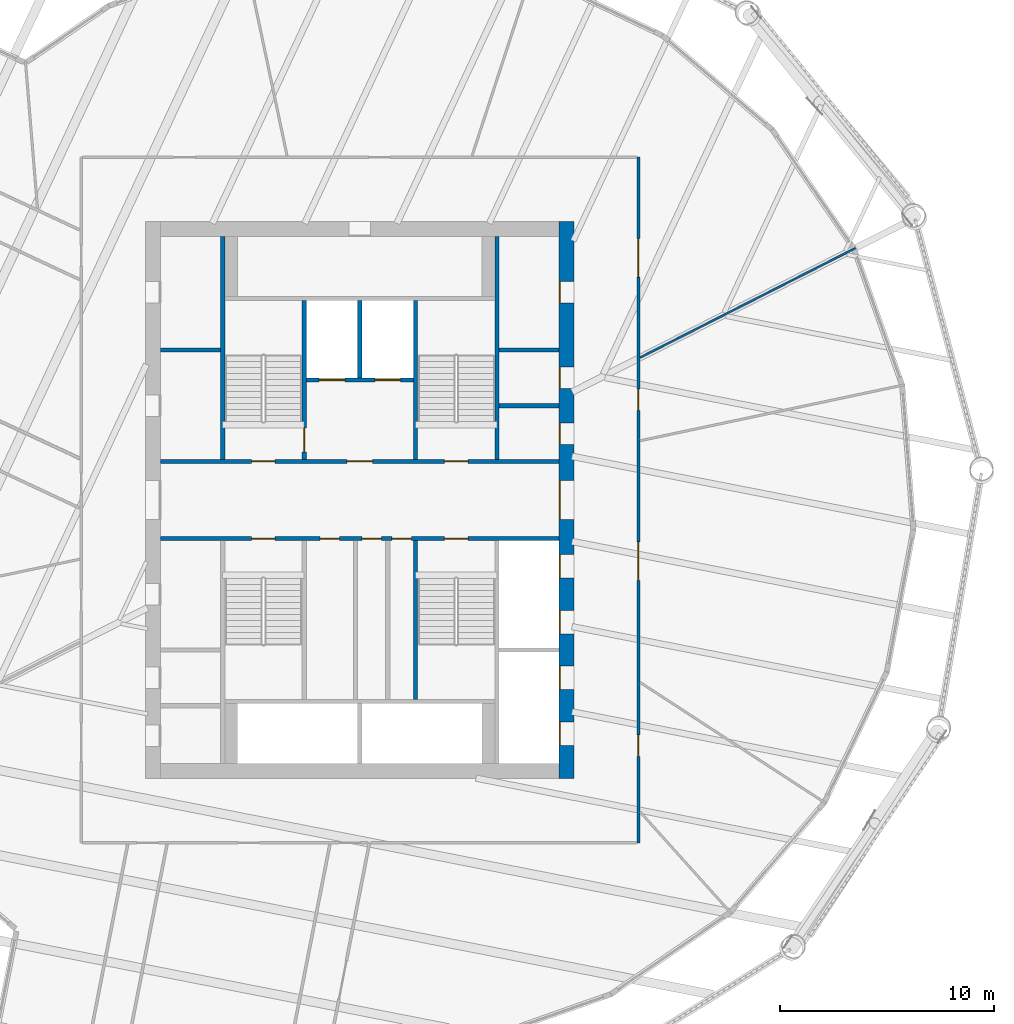
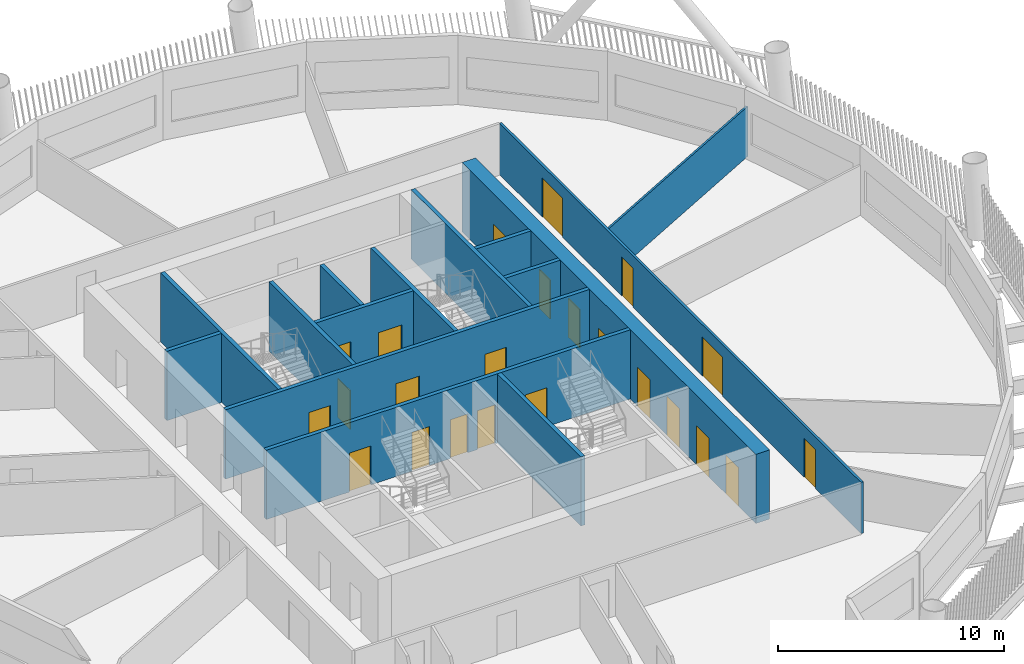
# One storey, part 5 of 24: 23 doors, 15 walls, 23 openings.
"""IFC4 building model written with IfcOpenShell, lengths in metres."""

from ifc_helpers import new_model, si_unit, direction, frame, frame_2d, origin, place, context, subcontext, project, spatial, rectangle, extrude, material, layer, layer_set, type_object, element, fill, save


model = new_model("IFC4")

# Units and contexts
model_context = context("Model", 3, precision=1e-05, world=origin(), true_north=direction((0.0, 1.0)))
body_context = subcontext(model_context, "Body", "Model", "MODEL_VIEW")
ifc_project = project(units=[si_unit("LENGTHUNIT", "METRE"), si_unit("AREAUNIT", "SQUARE_METRE"), si_unit("VOLUMEUNIT", "CUBIC_METRE"), si_unit("PLANEANGLEUNIT", "RADIAN"), si_unit("MASSUNIT", "GRAM", prefix="KILO")], contexts=[model_context])

# Site, building, storey
site_placement = place(None, origin())
site = spatial("IfcSite", under=ifc_project, at=site_placement, CompositionType="ELEMENT")
building_placement = place(site_placement, origin())
building = spatial("IfcBuilding", under=site, at=building_placement, Name="Tarsis Ring Headquarters", CompositionType="ELEMENT")
storey_placement = place(building_placement, frame((0.0, 0.0, 178.800048828125)))
storey = spatial("IfcBuildingStorey", under=building, at=storey_placement, Name="L41", CompositionType="ELEMENT", Elevation=178.800048828125)

# Walls
ifc_material_1 = material(Name="Blockwork", Category="masonry")
ifc_layer_1 = layer(ifc_material_1, 0.199951171875)
ifc_layer_set_1 = layer_set([ifc_layer_1], Name="Core blockwork wall 200")
wall_type_1 = type_object("IfcWallType", Name="Core blockwork wall 200", PredefinedType="PARTITIONING", material=ifc_layer_set_1)
for number, where, z_axis, x_axis, name in (
    (1, (-9.300048828125, 7.0, 0.0), (0.0, 0.0, 1.0), (1.0, 0.0, 0.0), "Core partition WD6"),
    (2, (6.5, 4.39990234375, 0.0), (0.0, 0.0, 1.0), (1.0, 0.0, 0.0), "Core partition ED5"),
    (3, (6.5, 7.0, 0.0), (0.0, 0.0, 1.0), (1.0, 0.0, 0.0), "Core partition ED6"),
):
    element("IfcWall", number, at=place(storey_placement, frame(where, z_axis=z_axis, x_axis=x_axis)), inside=storey, type_object=wall_type_1, Name=name, PredefinedType="PARTITIONING", context=body_context, shape_type="SweptSolid", body=[
        extrude(rectangle(XDim=2.800048828125, YDim=0.199951171875, at=frame_2d((1.39990234375, 0.0))), origin(), (0.0, 0.0, 1.0), 3.739990234375),
    ])

# Wall, openings, doors
ifc_material_2 = material(Name="Concrete C60/75", Category="concrete")
ifc_layer_2 = layer(ifc_material_2, 0.699951171875)
ifc_layer_set_2 = layer_set([ifc_layer_2], Name="Core wall 700 C60/75")
wall_type_2 = type_object("IfcWallType", Name="Core wall 700 C60/75", PredefinedType="SHEAR", material=ifc_layer_set_2)
wall_1_placement = place(storey_placement, frame((9.64990234375, -13.0, 0.0), z_axis=(0.0, 0.0, 1.0), x_axis=(0.0, 1.0, 0.0)))
wall_1 = element("IfcWall", 4, at=wall_1_placement, inside=storey, type_object=wall_type_2, Name="Core wall OE", PredefinedType="SHEAR", context=body_context, shape_type="SweptSolid", body=[
    extrude(rectangle(XDim=26.0, YDim=0.699951171875, at=frame_2d((13.0, 0.0))), origin(), (0.0, 0.0, 1.0), 3.739990234375),
])
opening_1_placement = place(wall_1_placement, frame((1.550048828125, 0.0, 0.0)))
opening_1 = element("IfcOpeningElement", 5, at=opening_1_placement, cuts=wall_1, Name="Opening LD-MR1", PredefinedType="OPENING", context=body_context, shape_type="SweptSolid", body=[
    extrude(rectangle(XDim=1.10009765625, YDim=2.10009765625, at=frame_2d((0.550048828125, 1.050048828125))), frame((0.0, 0.35986328125, 0.0), z_axis=(0.0, -1.0, 0.0), x_axis=(1.0, 0.0, 0.0)), (0.0, 0.0, 1.0), 0.719970703125),
])
opening_2_placement = place(wall_1_placement, frame((4.14990234375, 0.0, 0.0)))
opening_2 = element("IfcOpeningElement", 6, at=opening_2_placement, cuts=wall_1, Name="Opening LD-MR2", PredefinedType="OPENING", context=body_context, shape_type="SweptSolid", body=[
    extrude(rectangle(XDim=1.10009765625, YDim=2.10009765625, at=frame_2d((0.550048828125, 1.050048828125))), frame((0.0, 0.35986328125, 0.0), z_axis=(0.0, -1.0, 0.0), x_axis=(1.0, 0.0, 0.0)), (0.0, 0.0, 1.0), 0.719970703125),
])
opening_3_placement = place(wall_1_placement, frame((6.75, 0.0, 0.0)))
opening_3 = element("IfcOpeningElement", 7, at=opening_3_placement, cuts=wall_1, Name="Opening LD-MR3", PredefinedType="OPENING", context=body_context, shape_type="SweptSolid", body=[
    extrude(rectangle(XDim=1.10009765625, YDim=2.10009765625, at=frame_2d((0.550048828125, 1.050048828125))), frame((0.0, 0.35986328125, 0.0), z_axis=(0.0, -1.0, 0.0), x_axis=(1.0, 0.0, 0.0)), (0.0, 0.0, 1.0), 0.719970703125),
])
opening_4_placement = place(wall_1_placement, frame((9.35009765625, 0.0, 0.0)))
opening_4 = element("IfcOpeningElement", 8, at=opening_4_placement, cuts=wall_1, Name="Opening LD-MR4", PredefinedType="OPENING", context=body_context, shape_type="SweptSolid", body=[
    extrude(rectangle(XDim=1.10009765625, YDim=2.10009765625, at=frame_2d((0.550048828125, 1.050048828125))), frame((0.0, 0.35986328125, 0.0), z_axis=(0.0, -1.0, 0.0), x_axis=(1.0, 0.0, 0.0)), (0.0, 0.0, 1.0), 0.719970703125),
])
opening_5_placement = place(wall_1_placement, frame((12.10009765625, 0.0, 0.0)))
opening_5 = element("IfcOpeningElement", 9, at=opening_5_placement, cuts=wall_1, Name="Opening L41-C11", PredefinedType="OPENING", context=body_context, shape_type="SweptSolid", body=[
    extrude(rectangle(XDim=1.800048828125, YDim=2.10009765625, at=frame_2d((0.89990234375, 1.050048828125))), frame((0.0, 0.35986328125, 0.0), z_axis=(0.0, -1.0, 0.0), x_axis=(1.0, 0.0, 0.0)), (0.0, 0.0, 1.0), 0.719970703125),
])
opening_6_placement = place(wall_1_placement, frame((15.60009765625, 0.0, 0.0)))
opening_6 = element("IfcOpeningElement", 10, at=opening_6_placement, cuts=wall_1, Name="Opening L41-C12", PredefinedType="OPENING", context=body_context, shape_type="SweptSolid", body=[
    extrude(rectangle(XDim=1.0, YDim=2.10009765625, at=frame_2d((0.5, 1.050048828125))), frame((0.0, 0.35986328125, 0.0), z_axis=(0.0, -1.0, 0.0), x_axis=(1.0, 0.0, 0.0)), (0.0, 0.0, 1.0), 0.719970703125),
])
opening_7_placement = place(wall_1_placement, frame((18.199951171875, 0.0, 0.0)))
opening_7 = element("IfcOpeningElement", 11, at=opening_7_placement, cuts=wall_1, Name="Opening L41-C13", PredefinedType="OPENING", context=body_context, shape_type="SweptSolid", body=[
    extrude(rectangle(XDim=1.0, YDim=2.10009765625, at=frame_2d((0.5, 1.050048828125))), frame((0.0, 0.35986328125, 0.0), z_axis=(0.0, -1.0, 0.0), x_axis=(1.0, 0.0, 0.0)), (0.0, 0.0, 1.0), 0.719970703125),
])
opening_8_placement = place(wall_1_placement, frame((22.199951171875, 0.0, 0.0)))
opening_8 = element("IfcOpeningElement", 12, at=opening_8_placement, cuts=wall_1, Name="Opening L41-C14", PredefinedType="OPENING", context=body_context, shape_type="SweptSolid", body=[
    extrude(rectangle(XDim=1.0, YDim=2.10009765625, at=frame_2d((0.5, 1.050048828125))), frame((0.0, 0.35986328125, 0.0), z_axis=(0.0, -1.0, 0.0), x_axis=(1.0, 0.0, 0.0)), (0.0, 0.0, 1.0), 0.719970703125),
])
ifc_material_3 = material(Name="Steel S355", Category="steel")
door_type_1 = type_object("IfcDoorType", Name="Core entry door 1800x2100", OperationType="DOUBLE_DOOR_SINGLE_SWING", PredefinedType="DOOR", material=ifc_material_3)
door_1_placement = place(opening_5_placement, origin())
door_1 = element("IfcDoor", 13, at=door_1_placement, inside=storey, type_object=door_type_1, Name="Core entry door L41", OperationType="DOUBLE_DOOR_SINGLE_SWING", OverallHeight=2.10009765625, OverallWidth=1.800048828125, PredefinedType="DOOR", context=body_context, shape_type="SweptSolid", body=[
    extrude(rectangle(XDim=1.800048828125, YDim=2.10009765625, at=frame_2d((0.89990234375, 1.050048828125))), frame((0.0, 0.35009765625, 0.0), z_axis=(0.0, -1.0, 0.0), x_axis=(1.0, 0.0, 0.0)), (0.0, 0.0, 1.0), 0.050048828125),
])
fill(opening_5, door_1)
door_type_2 = type_object("IfcDoorType", Name="Core room door 1000x2100", OperationType="SINGLE_SWING_LEFT", PredefinedType="DOOR", material=ifc_material_3)
door_2_placement = place(opening_6_placement, origin())
door_2 = element("IfcDoor", 14, at=door_2_placement, inside=storey, type_object=door_type_2, Name="Core room door L41", OperationType="SINGLE_SWING_LEFT", OverallHeight=2.10009765625, OverallWidth=1.0, PredefinedType="DOOR", context=body_context, shape_type="SweptSolid", body=[
    extrude(rectangle(XDim=1.0, YDim=2.10009765625, at=frame_2d((0.5, 1.050048828125))), frame((0.0, 0.35009765625, 0.0), z_axis=(0.0, -1.0, 0.0), x_axis=(1.0, 0.0, 0.0)), (0.0, 0.0, 1.0), 0.050048828125),
])
fill(opening_6, door_2)
door_3_placement = place(opening_7_placement, origin())
door_3 = element("IfcDoor", 15, at=door_3_placement, inside=storey, type_object=door_type_2, Name="Core room door L41", OperationType="SINGLE_SWING_LEFT", OverallHeight=2.10009765625, OverallWidth=1.0, PredefinedType="DOOR", context=body_context, shape_type="SweptSolid", body=[
    extrude(rectangle(XDim=1.0, YDim=2.10009765625, at=frame_2d((0.5, 1.050048828125))), frame((0.0, 0.35009765625, 0.0), z_axis=(0.0, -1.0, 0.0), x_axis=(1.0, 0.0, 0.0)), (0.0, 0.0, 1.0), 0.050048828125),
])
fill(opening_7, door_3)
door_4_placement = place(opening_8_placement, origin())
door_4 = element("IfcDoor", 16, at=door_4_placement, inside=storey, type_object=door_type_2, Name="Core room door L41", OperationType="SINGLE_SWING_LEFT", OverallHeight=2.10009765625, OverallWidth=1.0, PredefinedType="DOOR", context=body_context, shape_type="SweptSolid", body=[
    extrude(rectangle(XDim=1.0, YDim=2.10009765625, at=frame_2d((0.5, 1.050048828125))), frame((0.0, 0.35009765625, 0.0), z_axis=(0.0, -1.0, 0.0), x_axis=(1.0, 0.0, 0.0)), (0.0, 0.0, 1.0), 0.050048828125),
])
fill(opening_8, door_4)
door_type_3 = type_object("IfcDoorType", Name="Landing door 1100x2100", OperationType="SLIDING_TO_LEFT", PredefinedType="DOOR", material=ifc_material_3)
door_5_placement = place(opening_1_placement, origin())
door_5 = element("IfcDoor", 17, at=door_5_placement, inside=storey, type_object=door_type_3, Name="Landing door MR1 L41", OperationType="SLIDING_TO_LEFT", OverallHeight=2.10009765625, OverallWidth=1.10009765625, PredefinedType="DOOR", context=body_context, shape_type="SweptSolid", body=[
    extrude(rectangle(XDim=1.10009765625, YDim=2.10009765625, at=frame_2d((0.550048828125, 1.050048828125))), frame((0.0, 0.35009765625, 0.0), z_axis=(0.0, -1.0, 0.0), x_axis=(1.0, 0.0, 0.0)), (0.0, 0.0, 1.0), 0.050048828125),
])
fill(opening_1, door_5)
door_6_placement = place(opening_2_placement, origin())
door_6 = element("IfcDoor", 18, at=door_6_placement, inside=storey, type_object=door_type_3, Name="Landing door MR2 L41", OperationType="SLIDING_TO_LEFT", OverallHeight=2.10009765625, OverallWidth=1.10009765625, PredefinedType="DOOR", context=body_context, shape_type="SweptSolid", body=[
    extrude(rectangle(XDim=1.10009765625, YDim=2.10009765625, at=frame_2d((0.550048828125, 1.050048828125))), frame((0.0, 0.35009765625, 0.0), z_axis=(0.0, -1.0, 0.0), x_axis=(1.0, 0.0, 0.0)), (0.0, 0.0, 1.0), 0.050048828125),
])
fill(opening_2, door_6)
door_7_placement = place(opening_3_placement, origin())
door_7 = element("IfcDoor", 19, at=door_7_placement, inside=storey, type_object=door_type_3, Name="Landing door MR3 L41", OperationType="SLIDING_TO_LEFT", OverallHeight=2.10009765625, OverallWidth=1.10009765625, PredefinedType="DOOR", context=body_context, shape_type="SweptSolid", body=[
    extrude(rectangle(XDim=1.10009765625, YDim=2.10009765625, at=frame_2d((0.550048828125, 1.050048828125))), frame((0.0, 0.35009765625, 0.0), z_axis=(0.0, -1.0, 0.0), x_axis=(1.0, 0.0, 0.0)), (0.0, 0.0, 1.0), 0.050048828125),
])
fill(opening_3, door_7)
door_8_placement = place(opening_4_placement, origin())
door_8 = element("IfcDoor", 20, at=door_8_placement, inside=storey, type_object=door_type_3, Name="Landing door MR4 L41", OperationType="SLIDING_TO_LEFT", OverallHeight=2.10009765625, OverallWidth=1.10009765625, PredefinedType="DOOR", context=body_context, shape_type="SweptSolid", body=[
    extrude(rectangle(XDim=1.10009765625, YDim=2.10009765625, at=frame_2d((0.550048828125, 1.050048828125))), frame((0.0, 0.35009765625, 0.0), z_axis=(0.0, -1.0, 0.0), x_axis=(1.0, 0.0, 0.0)), (0.0, 0.0, 1.0), 0.050048828125),
])
fill(opening_4, door_8)

# Wall
ifc_material_4 = material(Name="Gypsum board on steel studs", Category="steel")
ifc_layer_3 = layer(ifc_material_4, 0.10009765625)
ifc_layer_set_3 = layer_set([ifc_layer_3], Name="FL partition 100 unrated")
wall_type_3 = type_object("IfcWallType", Name="FL partition 100 unrated", PredefinedType="PARTITIONING", material=ifc_layer_set_3)
wall_2_placement = place(storey_placement, frame((13.080078125, 6.6474609375, 0.0), z_axis=(0.0, 0.0, 1.0), x_axis=(0.89148504166, 0.453050130224, 0.0)))
element("IfcWall", 21, at=wall_2_placement, inside=storey, type_object=wall_type_3, Name="Partition PW3", PredefinedType="PARTITIONING", context=body_context, shape_type="SweptSolid", body=[
    extrude(rectangle(XDim=11.275634765625, YDim=0.10009765625, at=frame_2d((5.6376953125, 0.0))), origin(), (0.0, 0.0, 1.0), 2.699951171875),
])

# Wall, openings, doors
ifc_layer_4 = layer(ifc_material_4, 0.125)
ifc_layer_set_4 = layer_set([ifc_layer_4], Name="FL partition 125 EI 60 H2770")
wall_type_4 = type_object("IfcWallType", Name="FL partition 125 EI 60 H2770", PredefinedType="PARTITIONING", material=ifc_layer_set_4)
wall_3_placement = place(storey_placement, frame((13.0, -16.0, 0.0), z_axis=(0.0, 0.0, 1.0), x_axis=(0.0, 1.0, 0.0)))
wall_3 = element("IfcWall", 22, at=wall_3_placement, inside=storey, type_object=wall_type_4, Name="Partition PW1", PredefinedType="PARTITIONING", context=body_context, shape_type="SweptSolid", body=[
    extrude(rectangle(XDim=32.0, YDim=0.125, at=frame_2d((16.0, 0.0))), origin(), (0.0, 0.0, 1.0), 2.77001953125),
])
opening_9_placement = place(wall_3_placement, frame((26.4033203125, 0.0, 0.0)))
opening_9 = element("IfcOpeningElement", 23, at=opening_9_placement, cuts=wall_3, Name="Opening D41.06", PredefinedType="OPENING", context=body_context, shape_type="SweptSolid", body=[
    extrude(rectangle(XDim=1.800048828125, YDim=2.10009765625, at=frame_2d((0.89990234375, 1.050048828125))), frame((0.0, 0.072509765625, 0.0), z_axis=(0.0, -1.0, 0.0), x_axis=(1.0, 0.0, 0.0)), (0.0, 0.0, 1.0), 0.14501953125),
])
opening_10_placement = place(wall_3_placement, frame((20.177978515625, 0.0, 0.0)))
opening_10 = element("IfcOpeningElement", 24, at=opening_10_placement, cuts=wall_3, Name="Opening D41.07", PredefinedType="OPENING", context=body_context, shape_type="SweptSolid", body=[
    extrude(rectangle(XDim=1.0, YDim=2.10009765625, at=frame_2d((0.5, 1.050048828125))), frame((0.0, 0.072509765625, 0.0), z_axis=(0.0, -1.0, 0.0), x_axis=(1.0, 0.0, 0.0)), (0.0, 0.0, 1.0), 0.14501953125),
])
opening_11_placement = place(wall_3_placement, frame((12.24365234375, 0.0, 0.0)))
opening_11 = element("IfcOpeningElement", 25, at=opening_11_placement, cuts=wall_3, Name="Opening D41.08", PredefinedType="OPENING", context=body_context, shape_type="SweptSolid", body=[
    extrude(rectangle(XDim=1.800048828125, YDim=2.10009765625, at=frame_2d((0.89990234375, 1.050048828125))), frame((0.0, 0.072509765625, 0.0), z_axis=(0.0, -1.0, 0.0), x_axis=(1.0, 0.0, 0.0)), (0.0, 0.0, 1.0), 0.14501953125),
])
opening_12_placement = place(wall_3_placement, frame((4.034912109375, 0.0, 0.0)))
opening_12 = element("IfcOpeningElement", 26, at=opening_12_placement, cuts=wall_3, Name="Opening D41.09", PredefinedType="OPENING", context=body_context, shape_type="SweptSolid", body=[
    extrude(rectangle(XDim=1.0, YDim=2.10009765625, at=frame_2d((0.5, 1.050048828125))), frame((0.0, 0.072509765625, 0.0), z_axis=(0.0, -1.0, 0.0), x_axis=(1.0, 0.0, 0.0)), (0.0, 0.0, 1.0), 0.14501953125),
])
ifc_material_5 = material(Name="Fire-rated timber door leaf in steel frame", Category="steel")
door_type_4 = type_object("IfcDoorType", Name="FL door FD60-1000", OperationType="NOTDEFINED", PredefinedType="DOOR", material=ifc_material_5)
door_9_placement = place(opening_10_placement, origin())
door_9 = element("IfcDoor", 27, at=door_9_placement, inside=storey, type_object=door_type_4, Name="Door D41.07", OperationType="SINGLE_SWING_RIGHT", OverallHeight=2.10009765625, OverallWidth=1.0, PredefinedType="DOOR", context=body_context, shape_type="SweptSolid", body=[
    extrude(rectangle(XDim=1.0, YDim=2.10009765625, at=frame_2d((0.5, 1.050048828125))), frame((0.0, 0.02490234375, 0.0), z_axis=(0.0, -1.0, 0.0), x_axis=(1.0, 0.0, 0.0)), (0.0, 0.0, 1.0), 0.050048828125),
])
fill(opening_10, door_9)
door_10_placement = place(opening_12_placement, origin())
door_10 = element("IfcDoor", 28, at=door_10_placement, inside=storey, type_object=door_type_4, Name="Door D41.09", OperationType="SINGLE_SWING_RIGHT", OverallHeight=2.10009765625, OverallWidth=1.0, PredefinedType="DOOR", context=body_context, shape_type="SweptSolid", body=[
    extrude(rectangle(XDim=1.0, YDim=2.10009765625, at=frame_2d((0.5, 1.050048828125))), frame((0.0, 0.02490234375, 0.0), z_axis=(0.0, -1.0, 0.0), x_axis=(1.0, 0.0, 0.0)), (0.0, 0.0, 1.0), 0.050048828125),
])
fill(opening_12, door_10)
door_type_5 = type_object("IfcDoorType", Name="FL door FD60-1800", OperationType="DOUBLE_DOOR_SINGLE_SWING", PredefinedType="DOOR", material=ifc_material_5)
door_11_placement = place(opening_9_placement, origin())
door_11 = element("IfcDoor", 29, at=door_11_placement, inside=storey, type_object=door_type_5, Name="Door D41.06", OperationType="DOUBLE_DOOR_SINGLE_SWING", OverallHeight=2.10009765625, OverallWidth=1.800048828125, PredefinedType="DOOR", context=body_context, shape_type="SweptSolid", body=[
    extrude(rectangle(XDim=1.800048828125, YDim=2.10009765625, at=frame_2d((0.89990234375, 1.050048828125))), frame((0.0, 0.02490234375, 0.0), z_axis=(0.0, -1.0, 0.0), x_axis=(1.0, 0.0, 0.0)), (0.0, 0.0, 1.0), 0.050048828125),
])
fill(opening_9, door_11)
door_12_placement = place(opening_11_placement, origin())
door_12 = element("IfcDoor", 30, at=door_12_placement, inside=storey, type_object=door_type_5, Name="Door D41.08", OperationType="DOUBLE_DOOR_SINGLE_SWING", OverallHeight=2.10009765625, OverallWidth=1.800048828125, PredefinedType="DOOR", context=body_context, shape_type="SweptSolid", body=[
    extrude(rectangle(XDim=1.800048828125, YDim=2.10009765625, at=frame_2d((0.89990234375, 1.050048828125))), frame((0.0, 0.02490234375, 0.0), z_axis=(0.0, -1.0, 0.0), x_axis=(1.0, 0.0, 0.0)), (0.0, 0.0, 1.0), 0.050048828125),
])
fill(opening_11, door_12)

ifc_material_6 = material(Name="Concrete C32/40", Category="concrete")
ifc_layer_5 = layer(ifc_material_6, 0.199951171875)
ifc_layer_set_5 = layer_set([ifc_layer_5], Name="Shaft wall 200 C32/40")
wall_type_5 = type_object("IfcWallType", Name="Shaft wall 200 C32/40", PredefinedType="SOLIDWALL", material=ifc_layer_set_5)
wall_4_placement = place(storey_placement, frame((-9.300048828125, 1.800048828125, 0.0), z_axis=(0.0, 0.0, 1.0), x_axis=(1.0, 0.0, 0.0)))
wall_4 = element("IfcWall", 31, at=wall_4_placement, inside=storey, type_object=wall_type_5, Name="Core shaft wall CN", PredefinedType="SOLIDWALL", context=body_context, shape_type="SweptSolid", body=[
    extrude(rectangle(XDim=18.60009765625, YDim=0.199951171875, at=frame_2d((9.300048828125, 0.0))), origin(), (0.0, 0.0, 1.0), 3.739990234375),
])
opening_13_placement = place(wall_4_placement, frame((4.25, 0.0, 0.0)))
opening_13 = element("IfcOpeningElement", 32, at=opening_13_placement, cuts=wall_4, Name="Opening L41-C16", PredefinedType="OPENING", context=body_context, shape_type="SweptSolid", body=[
    extrude(rectangle(XDim=1.10009765625, YDim=2.10009765625, at=frame_2d((0.550048828125, 1.050048828125))), frame((0.0, 0.10986328125, 0.0), z_axis=(0.0, -1.0, 0.0), x_axis=(1.0, 0.0, 0.0)), (0.0, 0.0, 1.0), 0.219970703125),
])
opening_14_placement = place(wall_4_placement, frame((8.699951171875, 0.0, 0.0)))
opening_14 = element("IfcOpeningElement", 33, at=opening_14_placement, cuts=wall_4, Name="Opening L41-C17", PredefinedType="OPENING", context=body_context, shape_type="SweptSolid", body=[
    extrude(rectangle(XDim=1.199951171875, YDim=2.10009765625, at=frame_2d((0.60009765625, 1.050048828125))), frame((0.0, 0.10986328125, 0.0), z_axis=(0.0, -1.0, 0.0), x_axis=(1.0, 0.0, 0.0)), (0.0, 0.0, 1.0), 0.219970703125),
])
opening_15_placement = place(wall_4_placement, frame((13.25, 0.0, 0.0)))
opening_15 = element("IfcOpeningElement", 34, at=opening_15_placement, cuts=wall_4, Name="Opening L41-C18", PredefinedType="OPENING", context=body_context, shape_type="SweptSolid", body=[
    extrude(rectangle(XDim=1.10009765625, YDim=2.10009765625, at=frame_2d((0.550048828125, 1.050048828125))), frame((0.0, 0.10986328125, 0.0), z_axis=(0.0, -1.0, 0.0), x_axis=(1.0, 0.0, 0.0)), (0.0, 0.0, 1.0), 0.219970703125),
])
door_type_6 = type_object("IfcDoorType", Name="Firefighting lobby door 1200x2100", OperationType="DOUBLE_DOOR_SINGLE_SWING", PredefinedType="DOOR", material=ifc_material_3)
door_13_placement = place(opening_14_placement, origin())
door_13 = element("IfcDoor", 35, at=door_13_placement, inside=storey, type_object=door_type_6, Name="Firefighting lobby door L41", OperationType="DOUBLE_DOOR_SINGLE_SWING", OverallHeight=2.10009765625, OverallWidth=1.199951171875, PredefinedType="DOOR", context=body_context, shape_type="SweptSolid", body=[
    extrude(rectangle(XDim=1.199951171875, YDim=2.10009765625, at=frame_2d((0.60009765625, 1.050048828125))), frame((0.0, 0.02490234375, 0.0), z_axis=(0.0, -1.0, 0.0), x_axis=(1.0, 0.0, 0.0)), (0.0, 0.0, 1.0), 0.050048828125),
])
fill(opening_14, door_13)
door_type_7 = type_object("IfcDoorType", Name="Stair door 1100x2100", OperationType="SINGLE_SWING_LEFT", PredefinedType="DOOR", material=ifc_material_3)
door_14_placement = place(opening_13_placement, origin())
door_14 = element("IfcDoor", 36, at=door_14_placement, inside=storey, type_object=door_type_7, Name="Stair door L41", OperationType="SINGLE_SWING_LEFT", OverallHeight=2.10009765625, OverallWidth=1.10009765625, PredefinedType="DOOR", context=body_context, shape_type="SweptSolid", body=[
    extrude(rectangle(XDim=1.10009765625, YDim=2.10009765625, at=frame_2d((0.550048828125, 1.050048828125))), frame((0.0, 0.02490234375, 0.0), z_axis=(0.0, -1.0, 0.0), x_axis=(1.0, 0.0, 0.0)), (0.0, 0.0, 1.0), 0.050048828125),
])
fill(opening_13, door_14)
door_15_placement = place(opening_15_placement, origin())
door_15 = element("IfcDoor", 37, at=door_15_placement, inside=storey, type_object=door_type_7, Name="Stair door L41", OperationType="SINGLE_SWING_LEFT", OverallHeight=2.10009765625, OverallWidth=1.10009765625, PredefinedType="DOOR", context=body_context, shape_type="SweptSolid", body=[
    extrude(rectangle(XDim=1.10009765625, YDim=2.10009765625, at=frame_2d((0.550048828125, 1.050048828125))), frame((0.0, 0.02490234375, 0.0), z_axis=(0.0, -1.0, 0.0), x_axis=(1.0, 0.0, 0.0)), (0.0, 0.0, 1.0), 0.050048828125),
])
fill(opening_15, door_15)

wall_5_placement = place(storey_placement, frame((-9.300048828125, -1.800048828125, 0.0), z_axis=(0.0, 0.0, 1.0), x_axis=(1.0, 0.0, 0.0)))
wall_5 = element("IfcWall", 38, at=wall_5_placement, inside=storey, type_object=wall_type_5, Name="Core shaft wall CS", PredefinedType="SOLIDWALL", context=body_context, shape_type="SweptSolid", body=[
    extrude(rectangle(XDim=18.60009765625, YDim=0.199951171875, at=frame_2d((9.300048828125, 0.0))), origin(), (0.0, 0.0, 1.0), 3.739990234375),
])
opening_16_placement = place(wall_5_placement, frame((4.25, 0.0, 0.0)))
opening_16 = element("IfcOpeningElement", 39, at=opening_16_placement, cuts=wall_5, Name="Opening L41-C19", PredefinedType="OPENING", context=body_context, shape_type="SweptSolid", body=[
    extrude(rectangle(XDim=1.10009765625, YDim=2.10009765625, at=frame_2d((0.550048828125, 1.050048828125))), frame((0.0, 0.10986328125, 0.0), z_axis=(0.0, -1.0, 0.0), x_axis=(1.0, 0.0, 0.0)), (0.0, 0.0, 1.0), 0.219970703125),
])
opening_17_placement = place(wall_5_placement, frame((7.449951171875, 0.0, 0.0)))
opening_17 = element("IfcOpeningElement", 40, at=opening_17_placement, cuts=wall_5, Name="Opening L41-C20", PredefinedType="OPENING", context=body_context, shape_type="SweptSolid", body=[
    extrude(rectangle(XDim=0.89990234375, YDim=2.10009765625, at=frame_2d((0.449951171875, 1.050048828125))), frame((0.0, 0.10986328125, 0.0), z_axis=(0.0, -1.0, 0.0), x_axis=(1.0, 0.0, 0.0)), (0.0, 0.0, 1.0), 0.219970703125),
])
opening_18_placement = place(wall_5_placement, frame((9.39990234375, 0.0, 0.0)))
opening_18 = element("IfcOpeningElement", 41, at=opening_18_placement, cuts=wall_5, Name="Opening L41-C21", PredefinedType="OPENING", context=body_context, shape_type="SweptSolid", body=[
    extrude(rectangle(XDim=0.89990234375, YDim=2.10009765625, at=frame_2d((0.449951171875, 1.050048828125))), frame((0.0, 0.10986328125, 0.0), z_axis=(0.0, -1.0, 0.0), x_axis=(1.0, 0.0, 0.0)), (0.0, 0.0, 1.0), 0.219970703125),
])
opening_19_placement = place(wall_5_placement, frame((10.800048828125, 0.0, 0.0)))
opening_19 = element("IfcOpeningElement", 42, at=opening_19_placement, cuts=wall_5, Name="Opening L41-C22", PredefinedType="OPENING", context=body_context, shape_type="SweptSolid", body=[
    extrude(rectangle(XDim=0.89990234375, YDim=2.10009765625, at=frame_2d((0.449951171875, 1.050048828125))), frame((0.0, 0.10986328125, 0.0), z_axis=(0.0, -1.0, 0.0), x_axis=(1.0, 0.0, 0.0)), (0.0, 0.0, 1.0), 0.219970703125),
])
opening_20_placement = place(wall_5_placement, frame((13.25, 0.0, 0.0)))
opening_20 = element("IfcOpeningElement", 43, at=opening_20_placement, cuts=wall_5, Name="Opening L41-C23", PredefinedType="OPENING", context=body_context, shape_type="SweptSolid", body=[
    extrude(rectangle(XDim=1.10009765625, YDim=2.10009765625, at=frame_2d((0.550048828125, 1.050048828125))), frame((0.0, 0.10986328125, 0.0), z_axis=(0.0, -1.0, 0.0), x_axis=(1.0, 0.0, 0.0)), (0.0, 0.0, 1.0), 0.219970703125),
])
door_16_placement = place(opening_16_placement, origin())
door_16 = element("IfcDoor", 44, at=door_16_placement, inside=storey, type_object=door_type_7, Name="Stair door L41", OperationType="SINGLE_SWING_LEFT", OverallHeight=2.10009765625, OverallWidth=1.10009765625, PredefinedType="DOOR", context=body_context, shape_type="SweptSolid", body=[
    extrude(rectangle(XDim=1.10009765625, YDim=2.10009765625, at=frame_2d((0.550048828125, 1.050048828125))), frame((0.0, 0.02490234375, 0.0), z_axis=(0.0, -1.0, 0.0), x_axis=(1.0, 0.0, 0.0)), (0.0, 0.0, 1.0), 0.050048828125),
])
fill(opening_16, door_16)
door_17_placement = place(opening_20_placement, origin())
door_17 = element("IfcDoor", 45, at=door_17_placement, inside=storey, type_object=door_type_7, Name="Stair door L41", OperationType="SINGLE_SWING_LEFT", OverallHeight=2.10009765625, OverallWidth=1.10009765625, PredefinedType="DOOR", context=body_context, shape_type="SweptSolid", body=[
    extrude(rectangle(XDim=1.10009765625, YDim=2.10009765625, at=frame_2d((0.550048828125, 1.050048828125))), frame((0.0, 0.02490234375, 0.0), z_axis=(0.0, -1.0, 0.0), x_axis=(1.0, 0.0, 0.0)), (0.0, 0.0, 1.0), 0.050048828125),
])
fill(opening_20, door_17)
door_type_8 = type_object("IfcDoorType", Name="WC door 900x2100", OperationType="SINGLE_SWING_LEFT", PredefinedType="DOOR", material=ifc_material_3)
door_18_placement = place(opening_17_placement, origin())
door_18 = element("IfcDoor", 46, at=door_18_placement, inside=storey, type_object=door_type_8, Name="WC door L41", OperationType="SINGLE_SWING_LEFT", OverallHeight=2.10009765625, OverallWidth=0.89990234375, PredefinedType="DOOR", context=body_context, shape_type="SweptSolid", body=[
    extrude(rectangle(XDim=0.89990234375, YDim=2.10009765625, at=frame_2d((0.449951171875, 1.050048828125))), frame((0.0, 0.02490234375, 0.0), z_axis=(0.0, -1.0, 0.0), x_axis=(1.0, 0.0, 0.0)), (0.0, 0.0, 1.0), 0.050048828125),
])
fill(opening_17, door_18)
door_19_placement = place(opening_18_placement, origin())
door_19 = element("IfcDoor", 47, at=door_19_placement, inside=storey, type_object=door_type_8, Name="WC door L41", OperationType="SINGLE_SWING_LEFT", OverallHeight=2.10009765625, OverallWidth=0.89990234375, PredefinedType="DOOR", context=body_context, shape_type="SweptSolid", body=[
    extrude(rectangle(XDim=0.89990234375, YDim=2.10009765625, at=frame_2d((0.449951171875, 1.050048828125))), frame((0.0, 0.02490234375, 0.0), z_axis=(0.0, -1.0, 0.0), x_axis=(1.0, 0.0, 0.0)), (0.0, 0.0, 1.0), 0.050048828125),
])
fill(opening_18, door_19)
door_20_placement = place(opening_19_placement, origin())
door_20 = element("IfcDoor", 48, at=door_20_placement, inside=storey, type_object=door_type_8, Name="WC door L41", OperationType="SINGLE_SWING_LEFT", OverallHeight=2.10009765625, OverallWidth=0.89990234375, PredefinedType="DOOR", context=body_context, shape_type="SweptSolid", body=[
    extrude(rectangle(XDim=0.89990234375, YDim=2.10009765625, at=frame_2d((0.449951171875, 1.050048828125))), frame((0.0, 0.02490234375, 0.0), z_axis=(0.0, -1.0, 0.0), x_axis=(1.0, 0.0, 0.0)), (0.0, 0.0, 1.0), 0.050048828125),
])
fill(opening_19, door_20)

# Walls
for number, where, z_axis, x_axis, name in (
    (49, (-6.39990234375, 1.89990234375, 0.0), (0.0, 0.0, 1.0), (0.0, 1.0, 0.0), "Core shaft wall WB2"),
    (50, (6.39990234375, 1.89990234375, 0.0), (0.0, 0.0, 1.0), (0.0, 1.0, 0.0), "Core shaft wall EB2"),
):
    element("IfcWall", number, at=place(storey_placement, frame(where, z_axis=z_axis, x_axis=x_axis)), inside=storey, type_object=wall_type_5, Name=name, PredefinedType="SOLIDWALL", context=body_context, shape_type="SweptSolid", body=[
        extrude(rectangle(XDim=10.400146484375, YDim=0.199951171875, at=frame_2d((5.2001953125, 0.0))), origin(), (0.0, 0.0, 1.0), 3.739990234375),
    ])

# Wall, opening, door
wall_6_placement = place(storey_placement, frame((-2.60009765625, 1.89990234375, 0.0), z_axis=(0.0, 0.0, 1.0), x_axis=(0.0, 1.0, 0.0)))
wall_6 = element("IfcWall", 51, at=wall_6_placement, inside=storey, type_object=wall_type_5, Name="Core shaft wall SW1", PredefinedType="SOLIDWALL", context=body_context, shape_type="SweptSolid", body=[
    extrude(rectangle(XDim=7.400146484375, YDim=0.199951171875, at=frame_2d((3.7001953125, 0.0))), origin(), (0.0, 0.0, 1.0), 3.739990234375),
])
opening_21_placement = place(wall_6_placement, frame((0.35009765625, 0.0, 0.0)))
opening_21 = element("IfcOpeningElement", 52, at=opening_21_placement, cuts=wall_6, Name="Opening L41-C24", PredefinedType="OPENING", context=body_context, shape_type="SweptSolid", body=[
    extrude(rectangle(XDim=1.10009765625, YDim=2.10009765625, at=frame_2d((0.550048828125, 1.050048828125))), frame((0.0, 0.10986328125, 0.0), z_axis=(0.0, -1.0, 0.0), x_axis=(1.0, 0.0, 0.0)), (0.0, 0.0, 1.0), 0.219970703125),
])
door_21_placement = place(opening_21_placement, origin())
door_21 = element("IfcDoor", 53, at=door_21_placement, inside=storey, type_object=door_type_7, Name="Stair door L41", OperationType="SINGLE_SWING_LEFT", OverallHeight=2.10009765625, OverallWidth=1.10009765625, PredefinedType="DOOR", context=body_context, shape_type="SweptSolid", body=[
    extrude(rectangle(XDim=1.10009765625, YDim=2.10009765625, at=frame_2d((0.550048828125, 1.050048828125))), frame((0.0, 0.02490234375, 0.0), z_axis=(0.0, -1.0, 0.0), x_axis=(1.0, 0.0, 0.0)), (0.0, 0.0, 1.0), 0.050048828125),
])
fill(opening_21, door_21)

# Walls
for number, where, z_axis, x_axis, name in (
    (54, (2.60009765625, 1.89990234375, 0.0), (0.0, 0.0, 1.0), (0.0, 1.0, 0.0), "Core shaft wall SW2"),
    (55, (2.60009765625, -9.300048828125, 0.0), (0.0, 0.0, 1.0), (0.0, 1.0, 0.0), "Core shaft wall SW4"),
):
    element("IfcWall", number, at=place(storey_placement, frame(where, z_axis=z_axis, x_axis=x_axis)), inside=storey, type_object=wall_type_5, Name=name, PredefinedType="SOLIDWALL", context=body_context, shape_type="SweptSolid", body=[
        extrude(rectangle(XDim=7.400146484375, YDim=0.199951171875, at=frame_2d((3.7001953125, 0.0))), origin(), (0.0, 0.0, 1.0), 3.739990234375),
    ])

# Wall, openings, doors
wall_7_placement = place(storey_placement, frame((-2.5, 5.60009765625, 0.0), z_axis=(0.0, 0.0, 1.0), x_axis=(1.0, 0.0, 0.0)))
wall_7 = element("IfcWall", 56, at=wall_7_placement, inside=storey, type_object=wall_type_5, Name="Core shaft wall FFN", PredefinedType="SOLIDWALL", context=body_context, shape_type="SweptSolid", body=[
    extrude(rectangle(XDim=5.0, YDim=0.199951171875, at=frame_2d((2.5, 0.0))), origin(), (0.0, 0.0, 1.0), 3.739990234375),
])
opening_22_placement = place(wall_7_placement, frame((0.60009765625, 0.0, 0.0)))
opening_22 = element("IfcOpeningElement", 57, at=opening_22_placement, cuts=wall_7, Name="Opening LDF-1", PredefinedType="OPENING", context=body_context, shape_type="SweptSolid", body=[
    extrude(rectangle(XDim=1.199951171875, YDim=2.10009765625, at=frame_2d((0.60009765625, 1.050048828125))), frame((0.0, 0.10986328125, 0.0), z_axis=(0.0, -1.0, 0.0), x_axis=(1.0, 0.0, 0.0)), (0.0, 0.0, 1.0), 0.219970703125),
])
opening_23_placement = place(wall_7_placement, frame((3.199951171875, 0.0, 0.0)))
opening_23 = element("IfcOpeningElement", 58, at=opening_23_placement, cuts=wall_7, Name="Opening LDF-2", PredefinedType="OPENING", context=body_context, shape_type="SweptSolid", body=[
    extrude(rectangle(XDim=1.199951171875, YDim=2.10009765625, at=frame_2d((0.60009765625, 1.050048828125))), frame((0.0, 0.10986328125, 0.0), z_axis=(0.0, -1.0, 0.0), x_axis=(1.0, 0.0, 0.0)), (0.0, 0.0, 1.0), 0.219970703125),
])
door_type_9 = type_object("IfcDoorType", Name="Firefighting landing door 1200x2100", OperationType="SLIDING_TO_LEFT", PredefinedType="DOOR", material=ifc_material_3)
door_22_placement = place(opening_22_placement, origin())
door_22 = element("IfcDoor", 59, at=door_22_placement, inside=storey, type_object=door_type_9, Name="Landing door FF1 L41", OperationType="SLIDING_TO_LEFT", OverallHeight=2.10009765625, OverallWidth=1.199951171875, PredefinedType="DOOR", context=body_context, shape_type="SweptSolid", body=[
    extrude(rectangle(XDim=1.199951171875, YDim=2.10009765625, at=frame_2d((0.60009765625, 1.050048828125))), frame((0.0, 0.02490234375, 0.0), z_axis=(0.0, -1.0, 0.0), x_axis=(1.0, 0.0, 0.0)), (0.0, 0.0, 1.0), 0.050048828125),
])
fill(opening_22, door_22)
door_23_placement = place(opening_23_placement, origin())
door_23 = element("IfcDoor", 60, at=door_23_placement, inside=storey, type_object=door_type_9, Name="Landing door FF2 L41", OperationType="SLIDING_TO_LEFT", OverallHeight=2.10009765625, OverallWidth=1.199951171875, PredefinedType="DOOR", context=body_context, shape_type="SweptSolid", body=[
    extrude(rectangle(XDim=1.199951171875, YDim=2.10009765625, at=frame_2d((0.60009765625, 1.050048828125))), frame((0.0, 0.02490234375, 0.0), z_axis=(0.0, -1.0, 0.0), x_axis=(1.0, 0.0, 0.0)), (0.0, 0.0, 1.0), 0.050048828125),
])
fill(opening_23, door_23)

# Wall
wall_8_placement = place(storey_placement, frame((0.0, 5.699951171875, 0.0), z_axis=(0.0, 0.0, 1.0), x_axis=(0.0, 1.0, 0.0)))
element("IfcWall", 61, at=wall_8_placement, inside=storey, type_object=wall_type_5, Name="Core shaft wall FFD", PredefinedType="SOLIDWALL", context=body_context, shape_type="SweptSolid", body=[
    extrude(rectangle(XDim=3.60009765625, YDim=0.199951171875, at=frame_2d((1.800048828125, 0.0))), origin(), (0.0, 0.0, 1.0), 3.739990234375),
])

save(model, "model.ifc")
